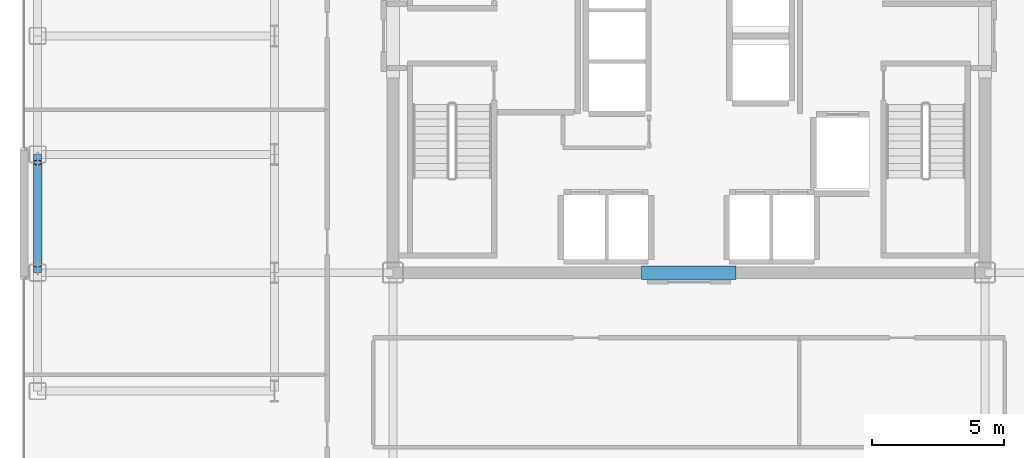
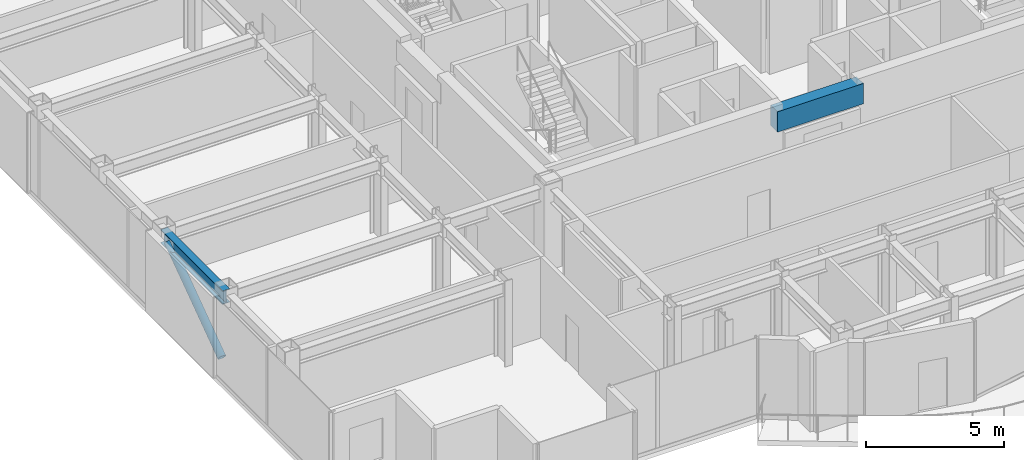
# One storey, part 4 of 22: 2 beams, 1 member.
"""IFC4 building model written with IfcOpenShell, lengths in metres."""

from ifc_helpers import new_model, si_unit, direction, frame, origin, origin_2d, place, context, subcontext, project, spatial, rectangle, hollow_circle, i_section, extrude, source, transform, mapped, material, material_profile, profile_set, type_object, element, save


model = new_model("IFC4")

# Units and contexts
model_context = context("Model", 3, precision=1e-05, world=origin(), true_north=direction((0.0, 1.0)))
body_context = subcontext(model_context, "Body", "Model", "MODEL_VIEW")
ifc_project = project(units=[si_unit("LENGTHUNIT", "METRE"), si_unit("AREAUNIT", "SQUARE_METRE"), si_unit("VOLUMEUNIT", "CUBIC_METRE"), si_unit("PLANEANGLEUNIT", "RADIAN"), si_unit("MASSUNIT", "GRAM", prefix="KILO")], contexts=[model_context])

# Site, building, storey
site_placement = place(None, origin())
site = spatial("IfcSite", under=ifc_project, at=site_placement, CompositionType="ELEMENT")
building_placement = place(site_placement, origin())
building = spatial("IfcBuilding", under=site, at=building_placement, Name="Nefas-Gora Pilgrimage Tower", CompositionType="ELEMENT")
storey_placement = place(building_placement, frame((0.0, 0.0, 218.0)))
storey = spatial("IfcBuildingStorey", under=building, at=storey_placement, Name="L54", CompositionType="ELEMENT", Elevation=218.0)

# Beams
ifc_material_1 = material(Name="Concrete C50/60", Category="concrete")
ifc_material_profile_1 = material_profile(ifc_material_1, rectangle(XDim=0.5, YDim=0.89990234375, at=origin_2d()), Name="RC 500x900")
ifc_profile_set_1 = profile_set([ifc_material_profile_1], Name="Concrete C50/60")
beam_type_1 = type_object("IfcBeamType", Name="BM-LIN-RC900", PredefinedType="LINTEL", material=ifc_profile_set_1)
shared_shape_1 = source(origin(), body_context, "Body", "SweptSolid", [
    extrude(rectangle(XDim=0.5, YDim=0.89990234375, at=origin_2d()), origin(), (0.0, 0.0, 1.0), 3.60009765625),
])
beam_1_placement = place(storey_placement, frame((-1.800048828125, -9.0, 3.10009765625), z_axis=(1.0, 0.0, 0.0), x_axis=(0.0, 1.0, 0.0)))
element("IfcBeam", 1, at=beam_1_placement, inside=storey, type_object=beam_type_1, Name="L54 Core Coupling Lintel Beam S", PredefinedType="LINTEL", context=body_context, shape_type="MappedRepresentation", body=[
    mapped(shared_shape_1, transform((0.0, 0.0, 0.0), x_axis=(1.0, 0.0, 0.0), y_axis=(0.0, 1.0, 0.0), z_axis=(0.0, 0.0, 1.0), scale=1.0)),
])
ifc_material_2 = material(Name="Steel S355", Category="steel")
ifc_material_profile_2 = material_profile(ifc_material_2, i_section(OverallWidth=0.300048828125, OverallDepth=0.60009765625, WebThickness=0.015380859375, FlangeThickness=0.030029296875, FilletRadius=0.027099609375, at=origin_2d()), Name="HEB 600")
ifc_profile_set_2 = profile_set([ifc_material_profile_2], Name="Steel S355")
beam_type_2 = type_object("IfcBeamType", Name="BM-SPN-HEB450", PredefinedType="SPANDREL", material=ifc_profile_set_2)
shared_shape_2 = source(origin(), body_context, "Body", "SweptSolid", [
    extrude(i_section(OverallWidth=0.300048828125, OverallDepth=0.60009765625, WebThickness=0.015380859375, FlangeThickness=0.030029296875, FilletRadius=0.027099609375, at=origin_2d()), origin(), (0.0, 0.0, 1.0), 4.5),
])
beam_2_placement = place(storey_placement, frame((-24.75, -9.0, 3.25), z_axis=(0.0, 1.0, 0.0), x_axis=(-1.0, 0.0, 0.0)))
element("IfcBeam", 2, at=beam_2_placement, inside=storey, type_object=beam_type_2, Name="L54 SP-03 beam", PredefinedType="SPANDREL", context=body_context, shape_type="MappedRepresentation", body=[
    mapped(shared_shape_2, transform((0.0, 0.0, 0.0), x_axis=(1.0, 0.0, 0.0), y_axis=(0.0, 1.0, 0.0), z_axis=(0.0, 0.0, 1.0), scale=1.0)),
])

# Member
ifc_material_profile_3 = material_profile(ifc_material_2, hollow_circle(Radius=0.161865234375, WallThickness=0.02001953125, at=origin_2d()), Name="CHS 323.9x20")
ifc_profile_set_3 = profile_set([ifc_material_profile_3], Name="Steel S355")
member_type = type_object("IfcMemberType", Name="MEM-TUBE-324", PredefinedType="BRACE", material=ifc_profile_set_3)
shared_shape_3 = source(origin(), body_context, "Body", "SweptSolid", [
    extrude(hollow_circle(Radius=0.161865234375, WallThickness=0.02001953125, at=origin_2d()), origin(), (0.0, 0.0, 1.0), 4.763671875),
])
member_placement = place(storey_placement, frame((-24.75, -8.68701171875, 0.3740234375), z_axis=(0.0, 0.813255312614, 0.581907034246), x_axis=(-1.0, 0.0, 0.0)))
element("IfcMember", 3, at=member_placement, inside=storey, type_object=member_type, Name="L54 Perimeter Tube Diagonal Brace W1", PredefinedType="BRACE", context=body_context, shape_type="MappedRepresentation", body=[
    mapped(shared_shape_3, transform((0.0, 0.0, 0.0), x_axis=(1.0, 0.0, 0.0), y_axis=(0.0, 1.0, 0.0), z_axis=(0.0, 0.0, 1.0), scale=1.0)),
])

save(model, "model.ifc")
